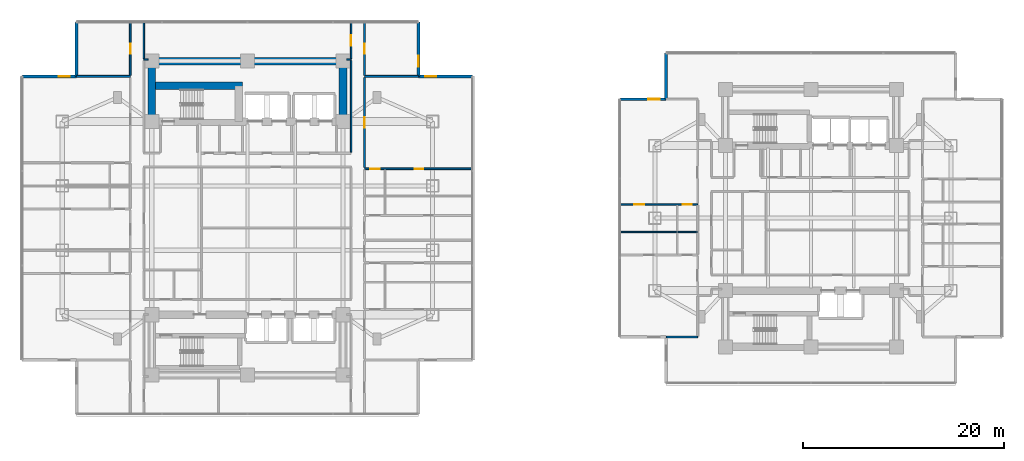
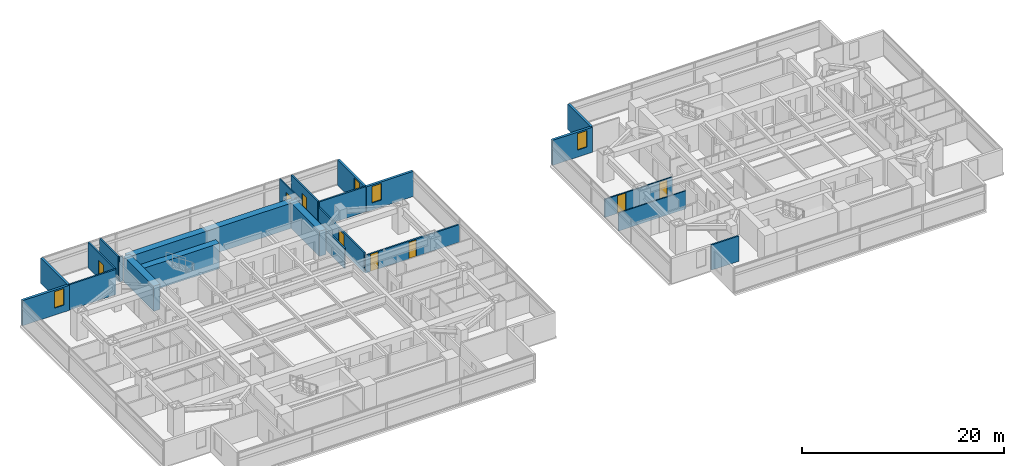
# One storey, part 17 of 26: 24 walls, 8 doors, 4 windows, 12 openings.
"""IFC4 building model written with IfcOpenShell, lengths in metres."""

from ifc_helpers import new_model, si_unit, direction, frame, frame_2d, origin, place, context, subcontext, project, spatial, rectangle, extrude, material, layer, layer_set, type_object, element, fill, save


model = new_model("IFC4")

# Units and contexts
model_context = context("Model", 3, precision=1e-05, world=origin(), true_north=direction((0.0, 1.0)))
body_context = subcontext(model_context, "Body", "Model", "MODEL_VIEW")
ifc_project = project(units=[si_unit("LENGTHUNIT", "METRE"), si_unit("AREAUNIT", "SQUARE_METRE"), si_unit("VOLUMEUNIT", "CUBIC_METRE"), si_unit("PLANEANGLEUNIT", "RADIAN"), si_unit("MASSUNIT", "GRAM", prefix="KILO")], contexts=[model_context])

# Site, building, storey
site_placement = place(None, origin())
site = spatial("IfcSite", under=ifc_project, at=site_placement, CompositionType="ELEMENT")
building_placement = place(site_placement, origin())
building = spatial("IfcBuilding", under=site, at=building_placement, Name="Mirazonda Arch Towers", CompositionType="ELEMENT")
storey_placement = place(building_placement, frame((0.0, 0.0, 38.89990234375)))
storey = spatial("IfcBuildingStorey", under=building, at=storey_placement, Name="L10", CompositionType="ELEMENT", Elevation=38.89990234375)

# Walls
ifc_material_1 = material(Name="Concrete C60/75", Category="concrete")
ifc_layer_1 = layer(ifc_material_1, 0.75, Name="WALL-CORE-750")
ifc_layer_set_1 = layer_set([ifc_layer_1], Name="Concrete C60/75")
wall_type_1 = type_object("IfcWallType", Name="WALL-CORE-750", PredefinedType="SHEAR", material=ifc_layer_set_1)
wall_1_placement = place(storey_placement, frame((11.0, 43.60009765625, 0.0), z_axis=(0.0, 0.0, 1.0), x_axis=(1.0, 0.0, 0.0)))
element("IfcWall", 1, at=wall_1_placement, inside=storey, type_object=wall_type_1, Name="L10 T1N-N Core Shear Wall", PredefinedType="SHEAR", context=body_context, shape_type="SweptSolid", body=[
    extrude(rectangle(XDim=19.0, YDim=0.75, at=frame_2d((9.5, 0.0))), origin(), (0.0, 0.0, 1.0), 3.06005859375),
])
for number, where, z_axis, x_axis, name in (
    (2, (11.0, 37.60009765625, 0.0), (0.0, 0.0, 1.0), (0.0, 1.0, 0.0), "L10 T1N-W Core Shear Wall"),
    (3, (30.0, 37.60009765625, 0.0), (0.0, 0.0, 1.0), (0.0, 1.0, 0.0), "L10 T1N-E Core Shear Wall"),
):
    element("IfcWall", number, at=place(storey_placement, frame(where, z_axis=z_axis, x_axis=x_axis)), inside=storey, type_object=wall_type_1, Name=name, PredefinedType="SHEAR", context=body_context, shape_type="SweptSolid", body=[
        extrude(rectangle(XDim=6.0, YDim=0.75, at=frame_2d((3.0, 0.0))), origin(), (0.0, 0.0, 1.0), 3.06005859375),
    ])
wall_2_placement = place(storey_placement, frame((11.0, 41.14306640625, 0.0), z_axis=(0.0, 0.0, 1.0), x_axis=(1.0, 0.0, 0.0)))
element("IfcWall", 4, at=wall_2_placement, inside=storey, type_object=wall_type_1, Name="L10 T1N-STN Core Shear Wall", PredefinedType="SHEAR", context=body_context, shape_type="SweptSolid", body=[
    extrude(rectangle(XDim=9.0, YDim=0.75, at=frame_2d((4.5, 0.0))), origin(), (0.0, 0.0, 1.0), 3.06005859375),
])

# Wall, opening, window
ifc_material_2 = material(Name="Precast Concrete C40/50", Category="concrete")
ifc_layer_2 = layer(ifc_material_2, 0.280029296875, Name="WALL-EXT-WALL-280")
ifc_layer_set_2 = layer_set([ifc_layer_2], Name="Precast Concrete C40/50")
wall_type_2 = type_object("IfcWallType", Name="WALL-EXT-WALL-280", PredefinedType="SOLIDWALL", material=ifc_layer_set_2)
wall_3_placement = place(storey_placement, frame((37.5, 42.090087890625, 0.0), z_axis=(0.0, 0.0, 1.0), x_axis=(0.0, 1.0, 0.0)))
wall_3 = element("IfcWall", 5, at=wall_3_placement, inside=storey, type_object=wall_type_2, Name="L10 T1 Notched NE Corner Wall WL-L10-T1-CNE", PredefinedType="SOLIDWALL", context=body_context, shape_type="SweptSolid", body=[
    extrude(rectangle(XDim=5.3798828125, YDim=0.280029296875, at=frame_2d((2.68994140625, 0.0))), origin(), (0.0, 0.0, 1.0), 3.0400390625),
])
opening_1_placement = place(wall_3_placement, frame((0.949951171875, 0.0, 0.85009765625)))
opening_1 = element("IfcOpeningElement", 6, at=opening_1_placement, cuts=wall_3, Name="Opening WN-108", PredefinedType="OPENING", context=body_context, shape_type="SweptSolid", body=[
    extrude(rectangle(XDim=1.10009765625, YDim=2.0, at=frame_2d((0.550048828125, 1.0))), frame((0.0, 0.14990234375, 0.0), z_axis=(0.0, -1.0, 0.0), x_axis=(1.0, 0.0, 0.0)), (0.0, 0.0, 1.0), 0.300048828125),
])
ifc_material_3 = material(Name="Insulated Low-E Solar Glass", Category="glass")
window_type = type_object("IfcWindowType", Name="WIN-NOTCH-1100x2000", PartitioningType="SINGLE_PANEL", PredefinedType="WINDOW", material=ifc_material_3)
window_1_placement = place(opening_1_placement, origin())
window_1 = element("IfcWindow", 7, at=window_1_placement, inside=storey, type_object=window_type, Name="L10 Punched Facade Window WN-L10-T1-CNE", OverallHeight=2.0, OverallWidth=1.10009765625, PartitioningType="SINGLE_PANEL", PredefinedType="WINDOW", context=body_context, shape_type="SweptSolid", body=[
    extrude(rectangle(XDim=1.10009765625, YDim=2.0, at=frame_2d((0.550048828125, 1.0))), frame((0.0, 0.030029296875, 0.0), z_axis=(0.0, -1.0, 0.0), x_axis=(1.0, 0.0, 0.0)), (0.0, 0.0, 1.0), 0.06005859375),
])
fill(opening_1, window_1)

wall_4_placement = place(storey_placement, frame((3.5, 42.090087890625, 0.0), z_axis=(0.0, 0.0, 1.0), x_axis=(-1.0, 0.0, 0.0)))
wall_4 = element("IfcWall", 8, at=wall_4_placement, inside=storey, type_object=wall_type_2, Name="L10 T1 Corner Notch Return Wall WL-L10-T1-CNW1", PredefinedType="SOLIDWALL", context=body_context, shape_type="SweptSolid", body=[
    extrude(rectangle(XDim=5.3798828125, YDim=0.280029296875, at=frame_2d((2.68994140625, 0.0))), origin(), (0.0, 0.0, 1.0), 3.0400390625),
])
opening_2_placement = place(wall_4_placement, frame((0.64990234375, 0.0, 0.85009765625)))
opening_2 = element("IfcOpeningElement", 9, at=opening_2_placement, cuts=wall_4, Name="Opening WN-108", PredefinedType="OPENING", context=body_context, shape_type="SweptSolid", body=[
    extrude(rectangle(XDim=1.10009765625, YDim=2.0, at=frame_2d((0.550048828125, 1.0))), frame((0.0, 0.14990234375, 0.0), z_axis=(0.0, -1.0, 0.0), x_axis=(1.0, 0.0, 0.0)), (0.0, 0.0, 1.0), 0.300048828125),
])
window_2_placement = place(opening_2_placement, origin())
window_2 = element("IfcWindow", 10, at=window_2_placement, inside=storey, type_object=window_type, Name="L10 Punched Facade Window WN-L10-T1-CNW1", OverallHeight=2.0, OverallWidth=1.10009765625, PartitioningType="SINGLE_PANEL", PredefinedType="WINDOW", context=body_context, shape_type="SweptSolid", body=[
    extrude(rectangle(XDim=1.10009765625, YDim=2.0, at=frame_2d((0.550048828125, 1.0))), frame((0.0, 0.030029296875, 0.0), z_axis=(0.0, -1.0, 0.0), x_axis=(1.0, 0.0, 0.0)), (0.0, 0.0, 1.0), 0.06005859375),
])
fill(opening_2, window_2)

# Wall
wall_5_placement = place(storey_placement, frame((3.5, 47.469970703125, 0.0), z_axis=(0.0, 0.0, 1.0), x_axis=(0.0, -1.0, 0.0)))
element("IfcWall", 11, at=wall_5_placement, inside=storey, type_object=wall_type_2, Name="L10 T1 Corner Notch Return Wall WL-L10-T1-CNW2", PredefinedType="SOLIDWALL", context=body_context, shape_type="SweptSolid", body=[
    extrude(rectangle(XDim=5.3798828125, YDim=0.280029296875, at=frame_2d((2.68994140625, 0.0))), origin(), (0.0, 0.0, 1.0), 3.0400390625),
])

# Wall, opening, window
wall_6_placement = place(storey_placement, frame((42.8798828125, 42.090087890625, 0.0), z_axis=(0.0, 0.0, 1.0), x_axis=(-1.0, 0.0, 0.0)))
wall_6 = element("IfcWall", 12, at=wall_6_placement, inside=storey, type_object=wall_type_2, Name="L10 T1 Corner Notch Return Wall WL-L10-T1-CNE2", PredefinedType="SOLIDWALL", context=body_context, shape_type="SweptSolid", body=[
    extrude(rectangle(XDim=5.3798828125, YDim=0.280029296875, at=frame_2d((2.68994140625, 0.0))), origin(), (0.0, 0.0, 1.0), 3.0400390625),
])
opening_3_placement = place(wall_6_placement, frame((3.6298828125, 0.0, 0.85009765625)))
opening_3 = element("IfcOpeningElement", 13, at=opening_3_placement, cuts=wall_6, Name="Opening WN-108", PredefinedType="OPENING", context=body_context, shape_type="SweptSolid", body=[
    extrude(rectangle(XDim=1.10009765625, YDim=2.0, at=frame_2d((0.550048828125, 1.0))), frame((0.0, 0.14990234375, 0.0), z_axis=(0.0, -1.0, 0.0), x_axis=(1.0, 0.0, 0.0)), (0.0, 0.0, 1.0), 0.300048828125),
])
window_3_placement = place(opening_3_placement, origin())
window_3 = element("IfcWindow", 14, at=window_3_placement, inside=storey, type_object=window_type, Name="L10 Punched Facade Window WN-L10-T1-CNE2", OverallHeight=2.0, OverallWidth=1.10009765625, PartitioningType="SINGLE_PANEL", PredefinedType="WINDOW", context=body_context, shape_type="SweptSolid", body=[
    extrude(rectangle(XDim=1.10009765625, YDim=2.0, at=frame_2d((0.550048828125, 1.0))), frame((0.0, 0.030029296875, 0.0), z_axis=(0.0, -1.0, 0.0), x_axis=(1.0, 0.0, 0.0)), (0.0, 0.0, 1.0), 0.06005859375),
])
fill(opening_3, window_3)

wall_7_placement = place(storey_placement, frame((62.110107421875, 39.81640625, 0.0), z_axis=(0.0, 0.0, 1.0), x_axis=(-1.0, 0.0, 0.0)))
wall_7 = element("IfcWall", 15, at=wall_7_placement, inside=storey, type_object=wall_type_2, Name="L10 T2 Corner Notch Return Wall WL-L10-T2-CNW1", PredefinedType="SOLIDWALL", context=body_context, shape_type="SweptSolid", body=[
    extrude(rectangle(XDim=4.580078125, YDim=0.280029296875, at=frame_2d((2.2900390625, 0.0))), origin(), (0.0, 0.0, 1.0), 3.0400390625),
])
opening_4_placement = place(wall_7_placement, frame((0.64990234375, 0.0, 0.85009765625)))
opening_4 = element("IfcOpeningElement", 16, at=opening_4_placement, cuts=wall_7, Name="Opening WN-108", PredefinedType="OPENING", context=body_context, shape_type="SweptSolid", body=[
    extrude(rectangle(XDim=1.10009765625, YDim=2.0, at=frame_2d((0.550048828125, 1.0))), frame((0.0, 0.14990234375, 0.0), z_axis=(0.0, -1.0, 0.0), x_axis=(1.0, 0.0, 0.0)), (0.0, 0.0, 1.0), 0.300048828125),
])
window_4_placement = place(opening_4_placement, origin())
window_4 = element("IfcWindow", 17, at=window_4_placement, inside=storey, type_object=window_type, Name="L10 Punched Facade Window WN-L10-T2-CNW1", OverallHeight=2.0, OverallWidth=1.10009765625, PartitioningType="SINGLE_PANEL", PredefinedType="WINDOW", context=body_context, shape_type="SweptSolid", body=[
    extrude(rectangle(XDim=1.10009765625, YDim=2.0, at=frame_2d((0.550048828125, 1.0))), frame((0.0, 0.030029296875, 0.0), z_axis=(0.0, -1.0, 0.0), x_axis=(1.0, 0.0, 0.0)), (0.0, 0.0, 1.0), 0.06005859375),
])
fill(opening_4, window_4)

# Wall
wall_8_placement = place(storey_placement, frame((62.110107421875, 44.396484375, 0.0), z_axis=(0.0, 0.0, 1.0), x_axis=(0.0, -1.0, 0.0)))
element("IfcWall", 18, at=wall_8_placement, inside=storey, type_object=wall_type_2, Name="L10 T2 Corner Notch Return Wall WL-L10-T2-CNW2", PredefinedType="SOLIDWALL", context=body_context, shape_type="SweptSolid", body=[
    extrude(rectangle(XDim=4.580078125, YDim=0.280029296875, at=frame_2d((2.2900390625, 0.0))), origin(), (0.0, 0.0, 1.0), 3.0400390625),
])

# Wall, openings, doors
ifc_material_4 = material(Name="Fire-Rated Gypsum Stud Partition")
ifc_layer_3 = layer(ifc_material_4, 0.14990234375, Name="WALL-PART-CORR-150")
ifc_layer_set_3 = layer_set([ifc_layer_3], Name="Fire-Rated Gypsum Stud Partition")
wall_type_3 = type_object("IfcWallType", Name="WALL-PART-CORR-150", PredefinedType="PARTITIONING", material=ifc_layer_set_3)
wall_9_placement = place(storey_placement, frame((57.530029296875, 29.35205078125, 0.0), z_axis=(0.0, 0.0, 1.0), x_axis=(1.0, 0.0, 0.0)))
wall_9 = element("IfcWall", 19, at=wall_9_placement, inside=storey, type_object=wall_type_3, Name="L10 Interior Partition 038", PredefinedType="PARTITIONING", context=body_context, shape_type="SweptSolid", body=[
    extrude(rectangle(XDim=7.719970703125, YDim=0.14990234375, at=frame_2d((3.85986328125, 0.0))), origin(), (0.0, 0.0, 1.0), 2.196044921875),
])
opening_5_placement = place(wall_9_placement, frame((1.43505859375, 0.0, 0.0)))
opening_5 = element("IfcOpeningElement", 20, at=opening_5_placement, cuts=wall_9, Name="Opening DR-104", PredefinedType="OPENING", context=body_context, shape_type="SweptSolid", body=[
    extrude(rectangle(XDim=0.949951171875, YDim=2.14990234375, at=frame_2d((0.47509765625, 1.074951171875))), frame((0.0, 0.0849609375, 0.0), z_axis=(0.0, -1.0, 0.0), x_axis=(1.0, 0.0, 0.0)), (0.0, 0.0, 1.0), 0.169921875),
])
opening_6_placement = place(wall_9_placement, frame((6.22998046875, 0.0, 0.0)))
opening_6 = element("IfcOpeningElement", 21, at=opening_6_placement, cuts=wall_9, Name="Opening DR-120", PredefinedType="OPENING", context=body_context, shape_type="SweptSolid", body=[
    extrude(rectangle(XDim=0.89990234375, YDim=2.10009765625, at=frame_2d((0.449951171875, 1.050048828125))), frame((0.0, 0.0849609375, 0.0), z_axis=(0.0, -1.0, 0.0), x_axis=(1.0, 0.0, 0.0)), (0.0, 0.0, 1.0), 0.169921875),
])
ifc_material_5 = material(Name="Architectural Brushed Steel S355", Category="steel")
door_type_1 = type_object("IfcDoorType", Name="DOOR-ROOM-950", OperationType="NOTDEFINED", PredefinedType="DOOR", material=ifc_material_5)
door_1_placement = place(opening_5_placement, origin())
door_1 = element("IfcDoor", 22, at=door_1_placement, inside=storey, type_object=door_type_1, Name="L10 Suite Bedroom 2 Door", OperationType="SINGLE_SWING_LEFT", OverallHeight=2.14990234375, OverallWidth=0.949951171875, PredefinedType="DOOR", context=body_context, shape_type="SweptSolid", body=[
    extrude(rectangle(XDim=0.949951171875, YDim=2.14990234375, at=frame_2d((0.47509765625, 1.074951171875))), frame((0.0, 0.02490234375, 0.0), z_axis=(0.0, -1.0, 0.0), x_axis=(1.0, 0.0, 0.0)), (0.0, 0.0, 1.0), 0.050048828125),
])
fill(opening_5, door_1)
door_type_2 = type_object("IfcDoorType", Name="DOOR-WC-900", OperationType="NOTDEFINED", PredefinedType="DOOR", material=ifc_material_5)
door_2_placement = place(opening_6_placement, origin())
door_2 = element("IfcDoor", 23, at=door_2_placement, inside=storey, type_object=door_type_2, Name="L10 Suite En-Suite Bathroom 2 Door", OperationType="SINGLE_SWING_RIGHT", OverallHeight=2.10009765625, OverallWidth=0.89990234375, PredefinedType="DOOR", context=body_context, shape_type="SweptSolid", body=[
    extrude(rectangle(XDim=0.89990234375, YDim=2.10009765625, at=frame_2d((0.449951171875, 1.050048828125))), frame((0.0, 0.02490234375, 0.0), z_axis=(0.0, -1.0, 0.0), x_axis=(1.0, 0.0, 0.0)), (0.0, 0.0, 1.0), 0.050048828125),
])
fill(opening_6, door_2)

# Walls
for number, where, z_axis, x_axis, name in (
    (24, (10.199951171875, 43.75, 0.0), (0.0, 0.0, 1.0), (1.0, 0.0, 0.0), "L10 Interior Partition 063"),
    (25, (30.3701171875, 43.75, 0.0), (0.0, 0.0, 1.0), (1.0, 0.0, 0.0), "L10 Interior Partition 064"),
):
    element("IfcWall", number, at=place(storey_placement, frame(where, z_axis=z_axis, x_axis=x_axis)), inside=storey, type_object=wall_type_3, Name=name, PredefinedType="PARTITIONING", context=body_context, shape_type="SweptSolid", body=[
        extrude(rectangle(XDim=0.429931640625, YDim=0.14990234375, at=frame_2d((0.21484375, 0.0))), origin(), (0.0, 0.0, 1.0), 3.06005859375),
    ])
wall_10_placement = place(storey_placement, frame((10.199951171875, 43.8349609375, 0.0), z_axis=(0.0, 0.0, 1.0), x_axis=(0.0, 1.0, 0.0)))
element("IfcWall", 26, at=wall_10_placement, inside=storey, type_object=wall_type_3, Name="L10 Interior Partition 081", PredefinedType="PARTITIONING", context=body_context, shape_type="SweptSolid", body=[
    extrude(rectangle(XDim=3.635009765625, YDim=0.14990234375, at=frame_2d((1.8173828125, 0.0))), origin(), (0.0, 0.0, 1.0), 3.06005859375),
])
wall_11_placement = place(storey_placement, frame((30.800048828125, 34.570068359375, 0.0), z_axis=(0.0, 0.0, 1.0), x_axis=(0.0, 1.0, 0.0)))
element("IfcWall", 27, at=wall_11_placement, inside=storey, type_object=wall_type_3, Name="L10 Interior Partition 106", PredefinedType="PARTITIONING", context=body_context, shape_type="SweptSolid", body=[
    extrude(rectangle(XDim=9.094970703125, YDim=0.14990234375, at=frame_2d((4.54736328125, 0.0))), origin(), (0.0, 0.0, 1.0), 2.43603515625),
])

# Wall, opening, door
wall_12_placement = place(storey_placement, frame((30.800048828125, 43.8349609375, 0.0), z_axis=(0.0, 0.0, 1.0), x_axis=(0.0, 1.0, 0.0)))
wall_12 = element("IfcWall", 28, at=wall_12_placement, inside=storey, type_object=wall_type_3, Name="L10 Interior Partition 107", PredefinedType="PARTITIONING", context=body_context, shape_type="SweptSolid", body=[
    extrude(rectangle(XDim=3.635009765625, YDim=0.14990234375, at=frame_2d((1.8173828125, 0.0))), origin(), (0.0, 0.0, 1.0), 3.06005859375),
])
opening_7_placement = place(wall_12_placement, frame((1.29248046875, 0.0, 0.0)))
opening_7 = element("IfcOpeningElement", 29, at=opening_7_placement, cuts=wall_12, Name="Opening DR-121", PredefinedType="OPENING", context=body_context, shape_type="SweptSolid", body=[
    extrude(rectangle(XDim=1.050048828125, YDim=2.199951171875, at=frame_2d((0.52490234375, 1.10009765625))), frame((0.0, 0.0849609375, 0.0), z_axis=(0.0, -1.0, 0.0), x_axis=(1.0, 0.0, 0.0)), (0.0, 0.0, 1.0), 0.169921875),
])
door_type_3 = type_object("IfcDoorType", Name="DOOR-SUITE-FD60-1050", OperationType="NOTDEFINED", PredefinedType="DOOR", material=ifc_material_5)
door_3_placement = place(opening_7_placement, origin())
door_3 = element("IfcDoor", 30, at=door_3_placement, inside=storey, type_object=door_type_3, Name="L10 North Reading Salon Suite Door", OperationType="SINGLE_SWING_LEFT", OverallHeight=2.199951171875, OverallWidth=1.050048828125, PredefinedType="DOOR", context=body_context, shape_type="SweptSolid", body=[
    extrude(rectangle(XDim=1.050048828125, YDim=2.199951171875, at=frame_2d((0.52490234375, 1.10009765625))), frame((0.0, 0.02490234375, 0.0), z_axis=(0.0, -1.0, 0.0), x_axis=(1.0, 0.0, 0.0)), (0.0, 0.0, 1.0), 0.050048828125),
])
fill(opening_7, door_3)

# Wall
ifc_material_6 = material(Name="Fire-Rated Gypsum Twin-Stud Assembly")
ifc_layer_4 = layer(ifc_material_6, 0.179931640625, Name="WALL-PART-DEMISE-180")
ifc_layer_set_4 = layer_set([ifc_layer_4], Name="Fire-Rated Gypsum Twin-Stud Assembly")
wall_type_4 = type_object("IfcWallType", Name="WALL-PART-DEMISE-180", PredefinedType="PARTITIONING", material=ifc_layer_set_4)
wall_13_placement = place(storey_placement, frame((62.1298828125, 16.18310546875, 0.0), z_axis=(0.0, 0.0, 1.0), x_axis=(1.0, 0.0, 0.0)))
element("IfcWall", 31, at=wall_13_placement, inside=storey, type_object=wall_type_4, Name="L10 Interior Partition 009", PredefinedType="PARTITIONING", context=body_context, shape_type="SweptSolid", body=[
    extrude(rectangle(XDim=3.1201171875, YDim=0.179931640625, at=frame_2d((1.56005859375, 0.0))), origin(), (0.0, 0.0, 1.0), 3.06005859375),
])

# Wall, openings, doors
wall_14_placement = place(storey_placement, frame((32.139892578125, 32.906982421875, 0.0), z_axis=(0.0, 0.0, 1.0), x_axis=(1.0, 0.0, 0.0)))
wall_14 = element("IfcWall", 32, at=wall_14_placement, inside=storey, type_object=wall_type_4, Name="L10 Interior Partition 047", PredefinedType="PARTITIONING", context=body_context, shape_type="SweptSolid", body=[
    extrude(rectangle(XDim=10.739990234375, YDim=0.179931640625, at=frame_2d((5.3701171875, 0.0))), origin(), (0.0, 0.0, 1.0), 2.125),
])
opening_8_placement = place(wall_14_placement, frame((4.9951171875, 0.0, 0.0)))
opening_8 = element("IfcOpeningElement", 33, at=opening_8_placement, cuts=wall_14, Name="Opening DR-128", PredefinedType="OPENING", context=body_context, shape_type="SweptSolid", body=[
    extrude(rectangle(XDim=0.85009765625, YDim=2.010009765625, at=frame_2d((0.425048828125, 1.0048828125))), frame((0.0, 0.099853515625, 0.0), z_axis=(0.0, -1.0, 0.0), x_axis=(1.0, 0.0, 0.0)), (0.0, 0.0, 1.0), 0.199951171875),
])
opening_9_placement = place(wall_14_placement, frame((0.590087890625, 0.0, 0.0)))
opening_9 = element("IfcOpeningElement", 34, at=opening_9_placement, cuts=wall_14, Name="Opening DR-120", PredefinedType="OPENING", context=body_context, shape_type="SweptSolid", body=[
    extrude(rectangle(XDim=0.89990234375, YDim=2.10009765625, at=frame_2d((0.449951171875, 1.050048828125))), frame((0.0, 0.099853515625, 0.0), z_axis=(0.0, -1.0, 0.0), x_axis=(1.0, 0.0, 0.0)), (0.0, 0.0, 1.0), 0.199951171875),
])
door_type_4 = type_object("IfcDoorType", Name="DOOR-RISER-FD60-850", OperationType="NOTDEFINED", PredefinedType="DOOR", material=ifc_material_5)
door_4_placement = place(opening_8_placement, origin())
door_4 = element("IfcDoor", 35, at=door_4_placement, inside=storey, type_object=door_type_4, Name="L10 Suite Bedroom 4 Door", OperationType="SINGLE_SWING_LEFT", OverallHeight=2.010009765625, OverallWidth=0.85009765625, PredefinedType="DOOR", context=body_context, shape_type="SweptSolid", body=[
    extrude(rectangle(XDim=0.85009765625, YDim=2.010009765625, at=frame_2d((0.425048828125, 1.0048828125))), frame((0.0, 0.02490234375, 0.0), z_axis=(0.0, -1.0, 0.0), x_axis=(1.0, 0.0, 0.0)), (0.0, 0.0, 1.0), 0.050048828125),
])
fill(opening_8, door_4)
door_5_placement = place(opening_9_placement, origin())
door_5 = element("IfcDoor", 36, at=door_5_placement, inside=storey, type_object=door_type_2, Name="L10 Suite En-Suite Bathroom 4 Door", OperationType="SINGLE_SWING_RIGHT", OverallHeight=2.10009765625, OverallWidth=0.89990234375, PredefinedType="DOOR", context=body_context, shape_type="SweptSolid", body=[
    extrude(rectangle(XDim=0.89990234375, YDim=2.10009765625, at=frame_2d((0.449951171875, 1.050048828125))), frame((0.0, 0.02490234375, 0.0), z_axis=(0.0, -1.0, 0.0), x_axis=(1.0, 0.0, 0.0)), (0.0, 0.0, 1.0), 0.050048828125),
])
fill(opening_9, door_5)

# Walls
for number, where, z_axis, x_axis, name in (
    (37, (3.52001953125, 42.090087890625, 0.0), (0.0, 0.0, 1.0), (1.0, 0.0, 0.0), "L10 Interior Partition 061"),
    (38, (32.139892578125, 42.090087890625, 0.0), (0.0, 0.0, 1.0), (1.0, 0.0, 0.0), "L10 Interior Partition 062"),
):
    element("IfcWall", number, at=place(storey_placement, frame(where, z_axis=z_axis, x_axis=x_axis)), inside=storey, type_object=wall_type_4, Name=name, PredefinedType="PARTITIONING", context=body_context, shape_type="SweptSolid", body=[
        extrude(rectangle(XDim=5.340087890625, YDim=0.179931640625, at=frame_2d((2.669921875, 0.0))), origin(), (0.0, 0.0, 1.0), 3.06005859375),
    ])

# Wall, opening, door
wall_15_placement = place(storey_placement, frame((8.860107421875, 42.18994140625, 0.0), z_axis=(0.0, 0.0, 1.0), x_axis=(0.0, 1.0, 0.0)))
wall_15 = element("IfcWall", 39, at=wall_15_placement, inside=storey, type_object=wall_type_4, Name="L10 Interior Partition 075", PredefinedType="PARTITIONING", context=body_context, shape_type="SweptSolid", body=[
    extrude(rectangle(XDim=5.280029296875, YDim=0.179931640625, at=frame_2d((2.64013671875, 0.0))), origin(), (0.0, 0.0, 1.0), 3.06005859375),
])
opening_10_placement = place(wall_15_placement, frame((2.1650390625, 0.0, 0.0)))
opening_10 = element("IfcOpeningElement", 40, at=opening_10_placement, cuts=wall_15, Name="Opening DR-104", PredefinedType="OPENING", context=body_context, shape_type="SweptSolid", body=[
    extrude(rectangle(XDim=0.949951171875, YDim=2.14990234375, at=frame_2d((0.47509765625, 1.074951171875))), frame((0.0, 0.099853515625, 0.0), z_axis=(0.0, -1.0, 0.0), x_axis=(1.0, 0.0, 0.0)), (0.0, 0.0, 1.0), 0.199951171875),
])
door_6_placement = place(opening_10_placement, origin())
door_6 = element("IfcDoor", 41, at=door_6_placement, inside=storey, type_object=door_type_1, Name="L10 North Reading Salon Alcove West Door", OperationType="SINGLE_SWING_RIGHT", OverallHeight=2.14990234375, OverallWidth=0.949951171875, PredefinedType="DOOR", context=body_context, shape_type="SweptSolid", body=[
    extrude(rectangle(XDim=0.949951171875, YDim=2.14990234375, at=frame_2d((0.47509765625, 1.074951171875))), frame((0.0, 0.02490234375, 0.0), z_axis=(0.0, -1.0, 0.0), x_axis=(1.0, 0.0, 0.0)), (0.0, 0.0, 1.0), 0.050048828125),
])
fill(opening_10, door_6)

wall_16_placement = place(storey_placement, frame((32.139892578125, 33.007080078125, 0.0), z_axis=(0.0, 0.0, 1.0), x_axis=(0.0, 1.0, 0.0)))
wall_16 = element("IfcWall", 42, at=wall_16_placement, inside=storey, type_object=wall_type_4, Name="L10 Interior Partition 116", PredefinedType="PARTITIONING", context=body_context, shape_type="SweptSolid", body=[
    extrude(rectangle(XDim=8.98291015625, YDim=0.179931640625, at=frame_2d((4.491455078125, 0.0))), origin(), (0.0, 0.0, 1.0), 2.43603515625),
])
opening_11_placement = place(wall_16_placement, frame((3.966552734375, 0.0, 0.0)))
opening_11 = element("IfcOpeningElement", 43, at=opening_11_placement, cuts=wall_16, Name="Opening DR-121", PredefinedType="OPENING", context=body_context, shape_type="SweptSolid", body=[
    extrude(rectangle(XDim=1.050048828125, YDim=2.199951171875, at=frame_2d((0.52490234375, 1.10009765625))), frame((0.0, 0.099853515625, 0.0), z_axis=(0.0, -1.0, 0.0), x_axis=(1.0, 0.0, 0.0)), (0.0, 0.0, 1.0), 0.199951171875),
])
door_7_placement = place(opening_11_placement, origin())
door_7 = element("IfcDoor", 44, at=door_7_placement, inside=storey, type_object=door_type_3, Name="L10 Presidential Hotel Suite 4 Door", OperationType="SINGLE_SWING_RIGHT", OverallHeight=2.199951171875, OverallWidth=1.050048828125, PredefinedType="DOOR", context=body_context, shape_type="SweptSolid", body=[
    extrude(rectangle(XDim=1.050048828125, YDim=2.199951171875, at=frame_2d((0.52490234375, 1.10009765625))), frame((0.0, 0.02490234375, 0.0), z_axis=(0.0, -1.0, 0.0), x_axis=(1.0, 0.0, 0.0)), (0.0, 0.0, 1.0), 0.050048828125),
])
fill(opening_11, door_7)

wall_17_placement = place(storey_placement, frame((32.139892578125, 42.18994140625, 0.0), z_axis=(0.0, 0.0, 1.0), x_axis=(0.0, 1.0, 0.0)))
wall_17 = element("IfcWall", 45, at=wall_17_placement, inside=storey, type_object=wall_type_4, Name="L10 Interior Partition 117", PredefinedType="PARTITIONING", context=body_context, shape_type="SweptSolid", body=[
    extrude(rectangle(XDim=5.280029296875, YDim=0.179931640625, at=frame_2d((2.64013671875, 0.0))), origin(), (0.0, 0.0, 1.0), 3.06005859375),
])
opening_12_placement = place(wall_17_placement, frame((2.1650390625, 0.0, 0.0)))
opening_12 = element("IfcOpeningElement", 46, at=opening_12_placement, cuts=wall_17, Name="Opening DR-104", PredefinedType="OPENING", context=body_context, shape_type="SweptSolid", body=[
    extrude(rectangle(XDim=0.949951171875, YDim=2.14990234375, at=frame_2d((0.47509765625, 1.074951171875))), frame((0.0, 0.099853515625, 0.0), z_axis=(0.0, -1.0, 0.0), x_axis=(1.0, 0.0, 0.0)), (0.0, 0.0, 1.0), 0.199951171875),
])
door_8_placement = place(opening_12_placement, origin())
door_8 = element("IfcDoor", 47, at=door_8_placement, inside=storey, type_object=door_type_1, Name="L10 North Reading Salon Alcove East Door", OperationType="SINGLE_SWING_LEFT", OverallHeight=2.14990234375, OverallWidth=0.949951171875, PredefinedType="DOOR", context=body_context, shape_type="SweptSolid", body=[
    extrude(rectangle(XDim=0.949951171875, YDim=2.14990234375, at=frame_2d((0.47509765625, 1.074951171875))), frame((0.0, 0.02490234375, 0.0), z_axis=(0.0, -1.0, 0.0), x_axis=(1.0, 0.0, 0.0)), (0.0, 0.0, 1.0), 0.050048828125),
])
fill(opening_12, door_8)

# Wall
ifc_material_7 = material(Name="Acoustic Fire-Rated Gypsum Partition")
ifc_layer_5 = layer(ifc_material_7, 0.125, Name="WALL-PART-UNIT-125")
ifc_layer_set_5 = layer_set([ifc_layer_5], Name="Acoustic Fire-Rated Gypsum Partition")
wall_type_5 = type_object("IfcWallType", Name="WALL-PART-UNIT-125", PredefinedType="PARTITIONING", material=ifc_layer_set_5)
wall_18_placement = place(storey_placement, frame((57.530029296875, 26.632080078125, 0.0), z_axis=(0.0, 0.0, 1.0), x_axis=(1.0, 0.0, 0.0)))
element("IfcWall", 48, at=wall_18_placement, inside=storey, type_object=wall_type_5, Name="L10 Interior Partition 032", PredefinedType="PARTITIONING", context=body_context, shape_type="SweptSolid", body=[
    extrude(rectangle(XDim=7.719970703125, YDim=0.125, at=frame_2d((3.85986328125, 0.0))), origin(), (0.0, 0.0, 1.0), 2.196044921875),
])

save(model, "model.ifc")
